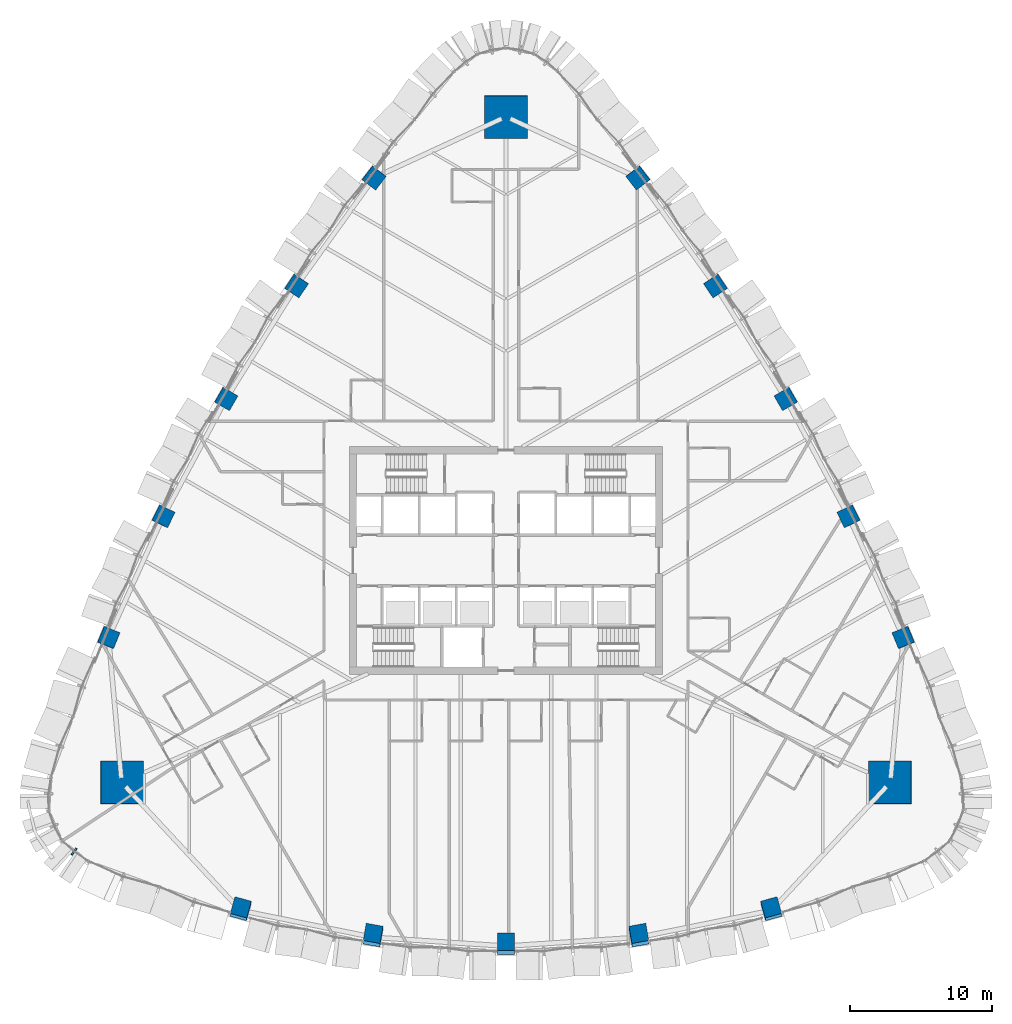
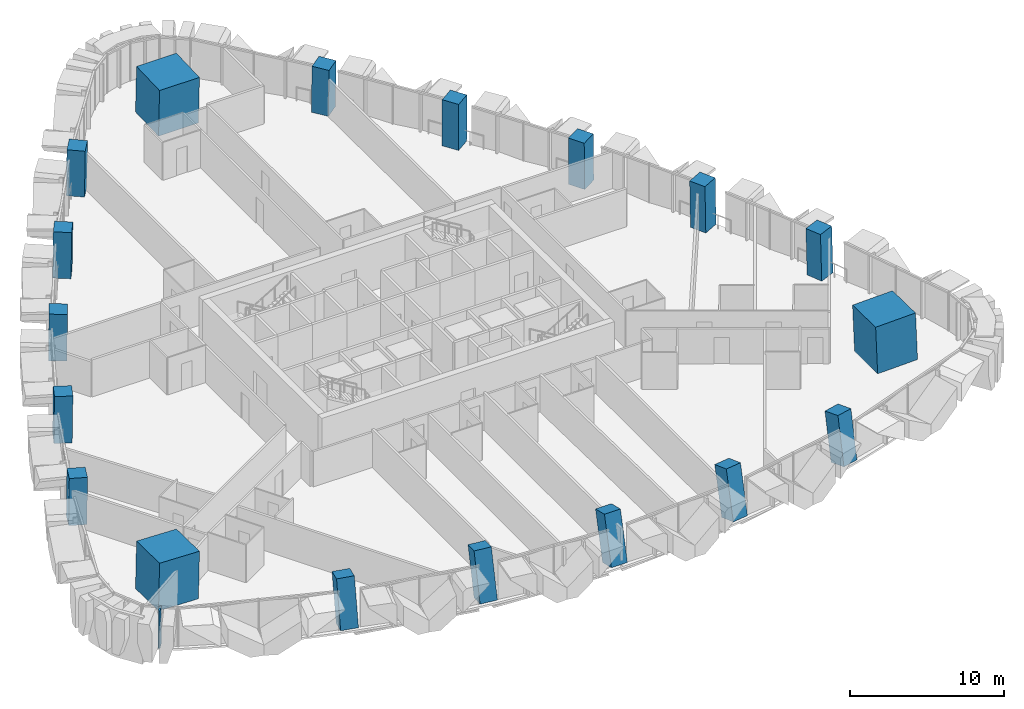
# One storey, part 1 of 24: 18 columns, 1 member, 1 element without a shape of its own.
"""IFC4 building model written with IfcOpenShell, lengths in metres."""

from ifc_helpers import new_model, si_unit, direction, frame, origin, origin_2d, place, context, subcontext, project, spatial, rectangle, extrude, clip, halfspace, material, layer, layer_set, material_profile, profile_set, type_object, element, aggregate, save


model = new_model("IFC4")

# Units and contexts
model_context = context("Model", 3, precision=1e-05, world=origin(), true_north=direction((0.0, 1.0)))
body_context = subcontext(model_context, "Body", "Model", "MODEL_VIEW")
ifc_project = project(units=[si_unit("LENGTHUNIT", "METRE"), si_unit("AREAUNIT", "SQUARE_METRE"), si_unit("VOLUMEUNIT", "CUBIC_METRE"), si_unit("PLANEANGLEUNIT", "RADIAN"), si_unit("MASSUNIT", "GRAM", prefix="KILO")], contexts=[model_context])

# Site, building, storey
site_placement = place(None, origin())
site = spatial("IfcSite", under=ifc_project, at=site_placement, CompositionType="ELEMENT")
building_placement = place(site_placement, origin())
building = spatial("IfcBuilding", under=site, at=building_placement, Name="Sierra Prisma Convention Tower", CompositionType="ELEMENT")
storey_placement = place(building_placement, frame((0.0, 0.0, 55.39990234375)))
storey = spatial("IfcBuildingStorey", under=building, at=storey_placement, Name="L09", CompositionType="ELEMENT", Elevation=55.39990234375)

# Columns
ifc_material_1 = material(Name="Concrete C60/75", Category="concrete")
ifc_material_profile_1 = material_profile(ifc_material_1, rectangle(XDim=3.0, YDim=3.0, at=origin_2d()), Name="Mega column RC 3000 C60/75")
ifc_profile_set_1 = profile_set([ifc_material_profile_1], Name="Concrete C60/75")
column_type_1 = type_object("IfcColumnType", Name="Mega column RC 3000 C60/75", PredefinedType="COLUMN", material=ifc_profile_set_1)
for number, where, z_axis, x_axis, name in (
    (1, (27.015380859375, -15.597412109375, 0.0), (-0.030595822255, 0.017671724923, 0.999375607967), (0.999531838243, 0.000540934199, 0.030591040022), "Mega column SE L09"),
    (2, (0.0, 31.194580078125, 0.0), (0.0, -0.035277579215, 0.999377552482), (1.0, 0.0, 0.0), "Mega column N L09"),
    (3, (-27.015380859375, -15.597412109375, 0.0), (0.030595822255, 0.017671724923, 0.999375607967), (0.999531838243, -0.000540934199, -0.030591040022), "Mega column SW L09"),
):
    element("IfcColumn", number, at=place(storey_placement, frame(where, z_axis=z_axis, x_axis=x_axis)), inside=storey, type_object=column_type_1, Name=name, PredefinedType="COLUMN", context=body_context, shape_type="SweptSolid", body=[
        extrude(rectangle(XDim=3.0, YDim=3.0, at=origin_2d()), origin(), (0.0, 0.0, 1.0), 3.702392578125),
    ])
ifc_material_2 = material(Name="Concrete C60/75", Category="concrete")
ifc_material_profile_2 = material_profile(ifc_material_2, rectangle(XDim=1.199951171875, YDim=1.199951171875, at=origin_2d()), Name="Perimeter column RC 1200 C60/75")
ifc_profile_set_2 = profile_set([ifc_material_profile_2], Name="Concrete C60/75")
column_type_2 = type_object("IfcColumnType", Name="Perimeter column RC 1200 C60/75", PredefinedType="COLUMN", material=ifc_profile_set_2)
column_1_placement = place(storey_placement, frame((-18.65869140625, -24.593017578125, 0.0), z_axis=(0.018962740175, 0.175794991964, 0.984244144146), x_axis=(-0.964231408406, 0.26352619053, -0.028491015209)))
element("IfcColumn", 4, at=column_1_placement, inside=storey, type_object=column_type_2, Name="Perimeter column S-1 L09", PredefinedType="COLUMN", context=body_context, shape_type="SweptSolid", body=[
    clip(clip(extrude(rectangle(XDim=1.199951171875, YDim=1.199951171875, at=origin_2d()), origin(), (0.0, 0.0, 1.0), 3.759521484375), halfspace(frame((0.0, 0.0, 0.000732421875)), True)), halfspace(frame((0.0, 0.0, 3.7587890625)), False)),
])
column_2_placement = place(storey_placement, frame((-9.349609375, -26.482421875, 0.0), z_axis=(0.00938855127, 0.223717601847, 0.974608788042), x_axis=(0.984896435556, -0.170583568587, 0.029669131402)))
element("IfcColumn", 5, at=column_2_placement, inside=storey, type_object=column_type_2, Name="Perimeter column S-2 L09", PredefinedType="COLUMN", context=body_context, shape_type="SweptSolid", body=[
    extrude(rectangle(XDim=1.199951171875, YDim=1.199951171875, at=origin_2d()), origin(), (0.0, 0.0, 1.0), 3.796630859375),
])
column_3_placement = place(storey_placement, frame((0.0, -27.1044921875, 0.0), z_axis=(0.0, 0.238674212769, 0.971099696303), x_axis=(-1.0, 0.0, 0.0)))
element("IfcColumn", 6, at=column_3_placement, inside=storey, type_object=column_type_2, Name="Perimeter column S-3 L09", PredefinedType="COLUMN", context=body_context, shape_type="SweptSolid", body=[
    extrude(rectangle(XDim=1.199951171875, YDim=1.199951171875, at=origin_2d()), origin(), (0.0, 0.0, 1.0), 3.810302734375),
])
column_4_placement = place(storey_placement, frame((9.349609375, -26.482421875, 0.0), z_axis=(-0.00938855127, 0.223717601847, 0.974608788042), x_axis=(-0.984896435556, -0.170583568587, 0.029669131402)))
element("IfcColumn", 7, at=column_4_placement, inside=storey, type_object=column_type_2, Name="Perimeter column S-4 L09", PredefinedType="COLUMN", context=body_context, shape_type="SweptSolid", body=[
    extrude(rectangle(XDim=1.199951171875, YDim=1.199951171875, at=origin_2d()), origin(), (0.0, 0.0, 1.0), 3.796630859375),
])
column_5_placement = place(storey_placement, frame((18.65869140625, -24.593017578125, 0.0), z_axis=(-0.018962740175, 0.175794991964, 0.984244144146), x_axis=(0.964231408406, 0.26352619053, -0.028491015209)))
element("IfcColumn", 8, at=column_5_placement, inside=storey, type_object=column_type_2, Name="Perimeter column S-5 L09", PredefinedType="COLUMN", context=body_context, shape_type="SweptSolid", body=[
    clip(clip(extrude(rectangle(XDim=1.199951171875, YDim=1.199951171875, at=origin_2d()), origin(), (0.0, 0.0, 1.0), 3.759521484375), halfspace(frame((0.0, 0.0, 0.000732421875)), True)), halfspace(frame((0.0, 0.0, 3.7587890625)), False)),
])
column_6_placement = place(storey_placement, frame((27.9326171875, -5.41845703125, 0.0), z_axis=(-0.019459371732, 0.011015983319, 0.999749959221), x_axis=(-0.381749906574, 0.924097828084, -0.017612863535)))
element("IfcColumn", 9, at=column_6_placement, inside=storey, type_object=column_type_2, Name="Perimeter column NE-1 L09", PredefinedType="COLUMN", context=body_context, shape_type="SweptSolid", body=[
    extrude(rectangle(XDim=1.199951171875, YDim=1.199951171875, at=origin_2d()), origin(), (0.0, 0.0, 1.0), 3.701171875),
])
column_7_placement = place(storey_placement, frame((24.077880859375, 3.105224609375, 0.0), z_axis=(-0.0153715921, 0.00230903744, 0.999879183953), x_axis=(-0.441818489924, 0.897060674508, -0.00886387119)))
element("IfcColumn", 10, at=column_7_placement, inside=storey, type_object=column_type_2, Name="Perimeter column NE-2 L09", PredefinedType="COLUMN", context=body_context, shape_type="SweptSolid", body=[
    extrude(rectangle(XDim=1.199951171875, YDim=1.199951171875, at=origin_2d()), origin(), (0.0, 0.0, 1.0), 3.70068359375),
])
column_8_placement = place(storey_placement, frame((19.669921875, 11.3564453125, 0.0), z_axis=(-0.010688020009, -0.006201690622, 0.999923649716), x_axis=(-0.499971440741, 0.866041891424, 2.7221193e-05)))
element("IfcColumn", 11, at=column_8_placement, inside=storey, type_object=column_type_2, Name="Perimeter column NE-3 L09", PredefinedType="COLUMN", context=body_context, shape_type="SweptSolid", body=[
    extrude(rectangle(XDim=1.199951171875, YDim=1.199951171875, at=origin_2d()), origin(), (0.0, 0.0, 1.0), 3.700439453125),
])
column_9_placement = place(storey_placement, frame((14.72802734375, 19.29931640625, 0.0), z_axis=(-0.005607671689, -0.014382028568, 0.999880848538), x_axis=(-0.555948898556, 0.831169491111, 0.008837377453)))
element("IfcColumn", 12, at=column_9_placement, inside=storey, type_object=column_type_2, Name="Perimeter column NE-4 L09", PredefinedType="COLUMN", context=body_context, shape_type="SweptSolid", body=[
    extrude(rectangle(XDim=1.199951171875, YDim=1.199951171875, at=origin_2d()), origin(), (0.0, 0.0, 1.0), 3.70068359375),
])
for number, where, z_axis, x_axis, name in (
    (13, (9.27392578125, 26.8994140625, 0.0), (-0.000197891909, -0.02236178572, 0.99974992442), (-0.609500562503, 0.792590082977, 0.01760751758), "Perimeter column NE-5 L09"),
    (14, (-9.27392578125, 26.8994140625, 0.0), (0.000197891909, -0.02236178572, 0.99974992442), (0.609500562503, 0.792590082977, 0.01760751758), "Perimeter column NW-1 L09"),
):
    element("IfcColumn", number, at=place(storey_placement, frame(where, z_axis=z_axis, x_axis=x_axis)), inside=storey, type_object=column_type_2, Name=name, PredefinedType="COLUMN", context=body_context, shape_type="SweptSolid", body=[
        extrude(rectangle(XDim=1.199951171875, YDim=1.199951171875, at=origin_2d()), origin(), (0.0, 0.0, 1.0), 3.701171875),
    ])
column_10_placement = place(storey_placement, frame((-14.72802734375, 19.29931640625, 0.0), z_axis=(0.005607671689, -0.014382028568, 0.999880848538), x_axis=(0.555948898556, 0.831169491111, 0.008837377453)))
element("IfcColumn", 15, at=column_10_placement, inside=storey, type_object=column_type_2, Name="Perimeter column NW-2 L09", PredefinedType="COLUMN", context=body_context, shape_type="SweptSolid", body=[
    extrude(rectangle(XDim=1.199951171875, YDim=1.199951171875, at=origin_2d()), origin(), (0.0, 0.0, 1.0), 3.70068359375),
])
column_11_placement = place(storey_placement, frame((-19.669921875, 11.3564453125, 0.0), z_axis=(0.010688020009, -0.006201690622, 0.999923649716), x_axis=(0.499971440741, 0.866041891424, 2.7221193e-05)))
element("IfcColumn", 16, at=column_11_placement, inside=storey, type_object=column_type_2, Name="Perimeter column NW-3 L09", PredefinedType="COLUMN", context=body_context, shape_type="SweptSolid", body=[
    extrude(rectangle(XDim=1.199951171875, YDim=1.199951171875, at=origin_2d()), origin(), (0.0, 0.0, 1.0), 3.700439453125),
])
column_12_placement = place(storey_placement, frame((-24.077880859375, 3.105224609375, 0.0), z_axis=(0.0153715921, 0.00230903744, 0.999879183953), x_axis=(0.441818489924, 0.897060674508, -0.00886387119)))
element("IfcColumn", 17, at=column_12_placement, inside=storey, type_object=column_type_2, Name="Perimeter column NW-4 L09", PredefinedType="COLUMN", context=body_context, shape_type="SweptSolid", body=[
    extrude(rectangle(XDim=1.199951171875, YDim=1.199951171875, at=origin_2d()), origin(), (0.0, 0.0, 1.0), 3.70068359375),
])
column_13_placement = place(storey_placement, frame((-27.9326171875, -5.41845703125, 0.0), z_axis=(0.019459371732, 0.011015983319, 0.999749959221), x_axis=(0.381749906574, 0.924097828084, -0.017612863535)))
element("IfcColumn", 18, at=column_13_placement, inside=storey, type_object=column_type_2, Name="Perimeter column NW-5 L09", PredefinedType="COLUMN", context=body_context, shape_type="SweptSolid", body=[
    extrude(rectangle(XDim=1.199951171875, YDim=1.199951171875, at=origin_2d()), origin(), (0.0, 0.0, 1.0), 3.701171875),
])

# Curtain wall, member
ifc_material_3 = material(Name="Aluminium and glass curtain wall", Category="aluminium")
ifc_layer = layer(ifc_material_3, 0.179931640625)
ifc_layer_set = layer_set([ifc_layer], Name="CW-2 Faceted crystal curtain wall")
curtain_wall_type = type_object("IfcCurtainWallType", Name="CW-2 Faceted crystal curtain wall", PredefinedType="NOTDEFINED", material=ifc_layer_set)
curtain_wall_placement = place(storey_placement, origin())
curtain_wall = element("IfcCurtainWall", 19, at=curtain_wall_placement, inside=storey, type_object=curtain_wall_type, Name="CW-2 SW3 L09", PredefinedType="NOTDEFINED")
ifc_material_4 = material(Name="Aluminium 6063-T6 bronze anodised", Category="aluminium")
ifc_material_profile_3 = material_profile(ifc_material_4, rectangle(XDim=0.1201171875, YDim=0.60009765625, at=origin_2d()), Name="ALU RIDGE BLADE 120x600")
ifc_profile_set_3 = profile_set([ifc_material_profile_3], Name="Aluminium 6063-T6 bronze anodised")
member_type = type_object("IfcMemberType", Name="CW hip bronze", PredefinedType="MULLION", material=ifc_profile_set_3)
member_placement = place(storey_placement, frame((-30.3623046875, -20.472900390625, 0.0), z_axis=(0.0, 0.0, 1.0), x_axis=(0.783458733533, -0.621443813108, 0.0)))
member = element("IfcMember", 20, at=member_placement, type_object=member_type, Name="CW-2 ridge SW3.1", PredefinedType="MULLION", context=body_context, shape_type="SweptSolid", body=[
    extrude(rectangle(XDim=0.1201171875, YDim=0.60009765625, at=origin_2d()), origin(), (0.0, 0.0, 1.0), 2.97998046875),
])
aggregate(curtain_wall, [member])

save(model, "model.ifc")
